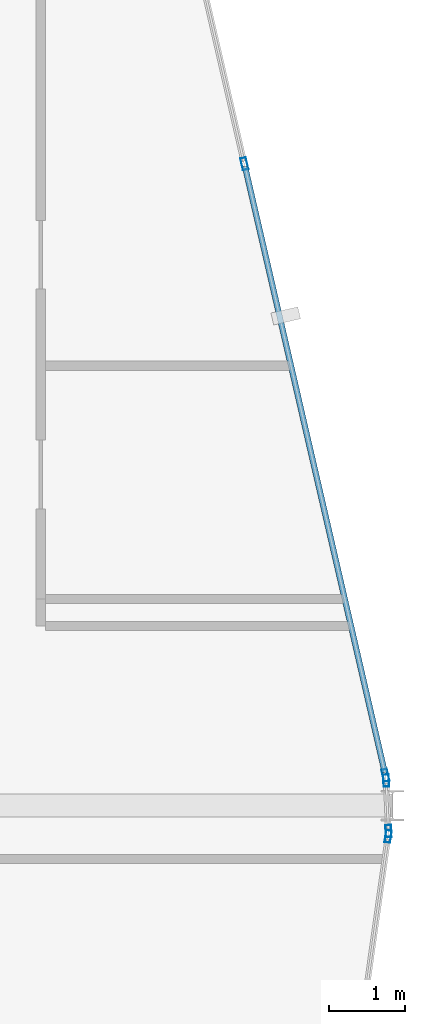
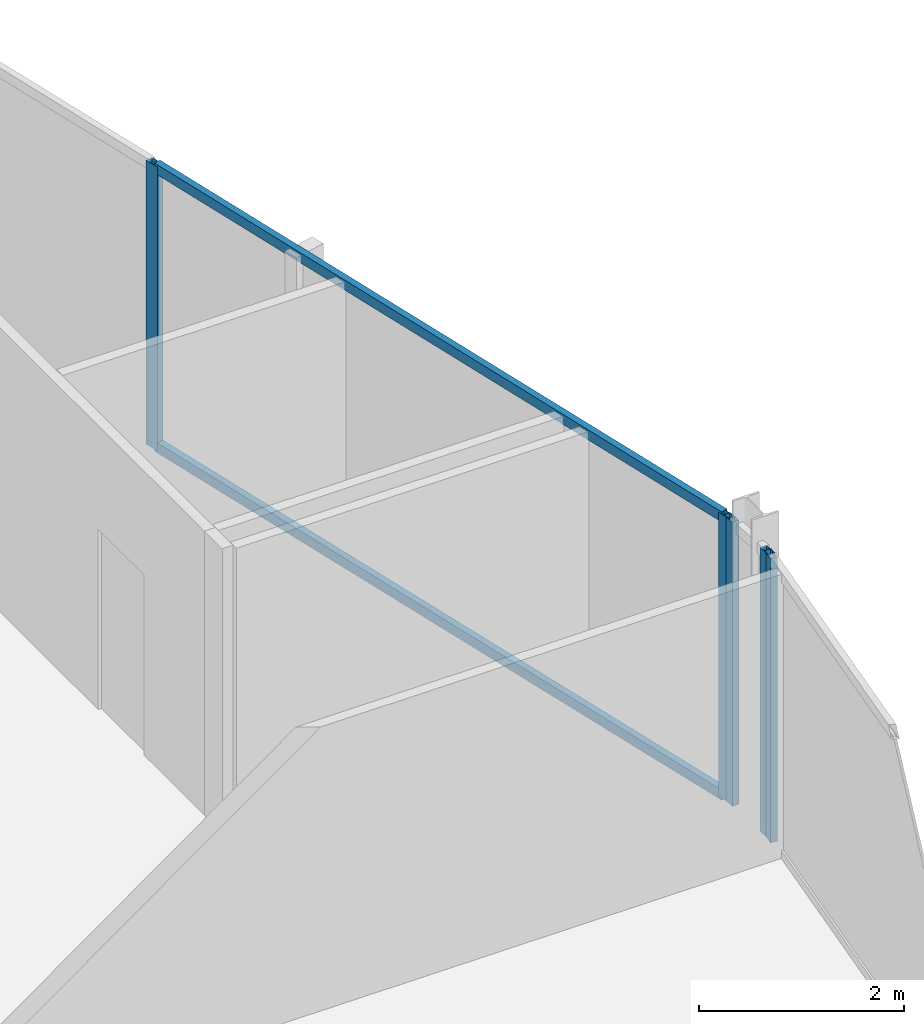
# One storey, part 16 of 30: 7 members, 3 elements without a shape of their own.
"""IFC4 building model written with IfcOpenShell, lengths in metres."""

from ifc_helpers import new_model, si_unit, direction, frame, origin, origin_2d, place, context, subcontext, project, spatial, hollow_rectangle, extrude, material, layer, layer_set, material_profile, profile_set, type_object, element, aggregate, save


model = new_model("IFC4")

# Units and contexts
model_context = context("Model", 3, precision=1e-05, world=origin(), true_north=direction((0.0, 1.0)))
body_context = subcontext(model_context, "Body", "Model", "MODEL_VIEW")
ifc_project = project(units=[si_unit("LENGTHUNIT", "METRE"), si_unit("AREAUNIT", "SQUARE_METRE"), si_unit("VOLUMEUNIT", "CUBIC_METRE"), si_unit("PLANEANGLEUNIT", "RADIAN"), si_unit("MASSUNIT", "GRAM", prefix="KILO")], contexts=[model_context])

# Site, building, storey
site_placement = place(None, origin())
site = spatial("IfcSite", under=ifc_project, at=site_placement, CompositionType="ELEMENT")
building_placement = place(site_placement, origin())
building = spatial("IfcBuilding", under=site, at=building_placement, Name="Keshet Zoharim Tower", CompositionType="ELEMENT")
storey_placement = place(building_placement, frame((0.0, 0.0, 280.60009765625)))
storey = spatial("IfcBuildingStorey", under=building, at=storey_placement, Name="L70", CompositionType="ELEMENT", Elevation=280.60009765625)

# Curtain wall, members
ifc_material = material(Name="Aluminium 6063-T6", Category="aluminium")
ifc_layer = layer(ifc_material, 0.260009765625)
ifc_layer_set = layer_set([ifc_layer], Name="Aluminium 6063-T6")
curtain_wall_type = type_object("IfcCurtainWallType", Name="CW-SYS-06", PredefinedType="NOTDEFINED", material=ifc_layer_set)
curtain_wall_1_placement = place(storey_placement, origin())
curtain_wall_1 = element("IfcCurtainWall", 1, at=curtain_wall_1_placement, inside=storey, type_object=curtain_wall_type, Name="L70 Unitised Curtain Wall 09", PredefinedType="NOTDEFINED")
ifc_material_profile_1 = material_profile(ifc_material, hollow_rectangle(XDim=0.074951171875, YDim=0.159912109375, WallThickness=0.00390625, at=origin_2d()), Name="MUL-75x160")
ifc_profile_set_1 = profile_set([ifc_material_profile_1], Name="Aluminium 6063-T6")
member_type_1 = type_object("IfcMemberType", Name="CWM-M15", PredefinedType="MULLION", material=ifc_profile_set_1)
member_1_placement = place(storey_placement, frame((43.063232421875, 36.291259765625, 0.0), z_axis=(0.0, 0.0, 1.0), x_axis=(0.974398012932, 0.224829963294, 0.0)))
member_1 = element("IfcMember", 2, at=member_1_placement, type_object=member_type_1, Name="CW-06 mullion 3", PredefinedType="MULLION", context=body_context, shape_type="SweptSolid", body=[
    extrude(hollow_rectangle(XDim=0.074951171875, YDim=0.159912109375, WallThickness=0.00390625, at=origin_2d()), origin(), (0.0, 0.0, 1.0), 3.389892578125),
])
member_2_placement = place(storey_placement, frame((44.908203125, 28.296142578125, 0.0), z_axis=(0.0, 0.0, 1.0), x_axis=(0.974398012932, 0.224829963294, 0.0)))
member_2 = element("IfcMember", 3, at=member_2_placement, type_object=member_type_1, Name="CW-06 mullion 4", PredefinedType="MULLION", context=body_context, shape_type="SweptSolid", body=[
    extrude(hollow_rectangle(XDim=0.074951171875, YDim=0.159912109375, WallThickness=0.00390625, at=origin_2d()), origin(), (0.0, 0.0, 1.0), 3.389892578125),
])

curtain_wall_2_placement = place(storey_placement, origin())
curtain_wall_2 = element("IfcCurtainWall", 4, at=curtain_wall_2_placement, inside=storey, type_object=curtain_wall_type, Name="L70 Unitised Curtain Wall 10", PredefinedType="NOTDEFINED")
member_3_placement = place(storey_placement, frame((44.91748046875, 28.22705078125, 0.0), z_axis=(0.0, 0.0, 1.0), x_axis=(0.999040601801, 0.043793560626, 0.0)))
member_3 = element("IfcMember", 5, at=member_3_placement, type_object=member_type_1, Name="CW-06 mullion 1", PredefinedType="MULLION", context=body_context, shape_type="SweptSolid", body=[
    extrude(hollow_rectangle(XDim=0.074951171875, YDim=0.159912109375, WallThickness=0.00390625, at=origin_2d()), origin(), (0.0, 0.0, 1.0), 3.389892578125),
])
member_4_placement = place(storey_placement, frame((44.946533203125, 27.56689453125, 0.0), z_axis=(0.0, 0.0, 1.0), x_axis=(0.999040601801, 0.043793560626, 0.0)))
member_4 = element("IfcMember", 6, at=member_4_placement, type_object=member_type_1, Name="CW-06 mullion 2", PredefinedType="MULLION", context=body_context, shape_type="SweptSolid", body=[
    extrude(hollow_rectangle(XDim=0.074951171875, YDim=0.159912109375, WallThickness=0.00390625, at=origin_2d()), origin(), (0.0, 0.0, 1.0), 3.389892578125),
])
aggregate(curtain_wall_2, [member_3, member_4])

# Curtain wall, member
curtain_wall_3_placement = place(storey_placement, origin())
curtain_wall_3 = element("IfcCurtainWall", 7, at=curtain_wall_3_placement, inside=storey, type_object=curtain_wall_type, Name="L70 Unitised Curtain Wall 11", PredefinedType="NOTDEFINED")
member_5_placement = place(storey_placement, frame((44.943115234375, 27.497314453125, 0.0), z_axis=(0.0, 0.0, 1.0), x_axis=(0.990132057422, -0.140137464177, 0.0)))
member_5 = element("IfcMember", 8, at=member_5_placement, type_object=member_type_1, Name="CW-06 mullion 1", PredefinedType="MULLION", context=body_context, shape_type="SweptSolid", body=[
    extrude(hollow_rectangle(XDim=0.074951171875, YDim=0.159912109375, WallThickness=0.00390625, at=origin_2d()), origin(), (0.0, 0.0, 1.0), 3.389892578125),
])
aggregate(curtain_wall_3, [member_5])

# Member
ifc_material_profile_2 = material_profile(ifc_material, hollow_rectangle(XDim=0.074951171875, YDim=0.1201171875, WallThickness=0.00390625, at=origin_2d()), Name="TRN-75x120")
ifc_profile_set_2 = profile_set([ifc_material_profile_2], Name="Aluminium 6063-T6")
member_type_2 = type_object("IfcMemberType", Name="CWT-T12", PredefinedType="USERDEFINED", material=ifc_profile_set_2)
member_6_placement = place(storey_placement, frame((43.0712890625, 36.25732421875, 0.034912109375), z_axis=(0.224806904107, -0.974403333259, 0.0), x_axis=(0.974403333259, 0.224806904107, 0.0)))
member_6 = element("IfcMember", 9, at=member_6_placement, type_object=member_type_2, Name="CW-06 transom 3.1", ObjectType="TRANSOM", PredefinedType="USERDEFINED", context=body_context, shape_type="SweptSolid", body=[
    extrude(hollow_rectangle(XDim=0.074951171875, YDim=0.1201171875, WallThickness=0.00390625, at=origin_2d()), origin(), (0.0, 0.0, 1.0), 8.13525390625),
])

member_7_placement = place(storey_placement, frame((43.0712890625, 36.25732421875, 3.35498046875), z_axis=(0.224806904107, -0.974403333259, 0.0), x_axis=(0.974403333259, 0.224806904107, 0.0)))
member_7 = element("IfcMember", 10, at=member_7_placement, type_object=member_type_2, Name="CW-06 transom 3.2", ObjectType="TRANSOM", PredefinedType="USERDEFINED", context=body_context, shape_type="SweptSolid", body=[
    extrude(hollow_rectangle(XDim=0.074951171875, YDim=0.1201171875, WallThickness=0.00390625, at=origin_2d()), origin(), (0.0, 0.0, 1.0), 8.13525390625),
])

aggregate(curtain_wall_1, [member_1, member_2, member_6, member_7])

save(model, "model.ifc")
